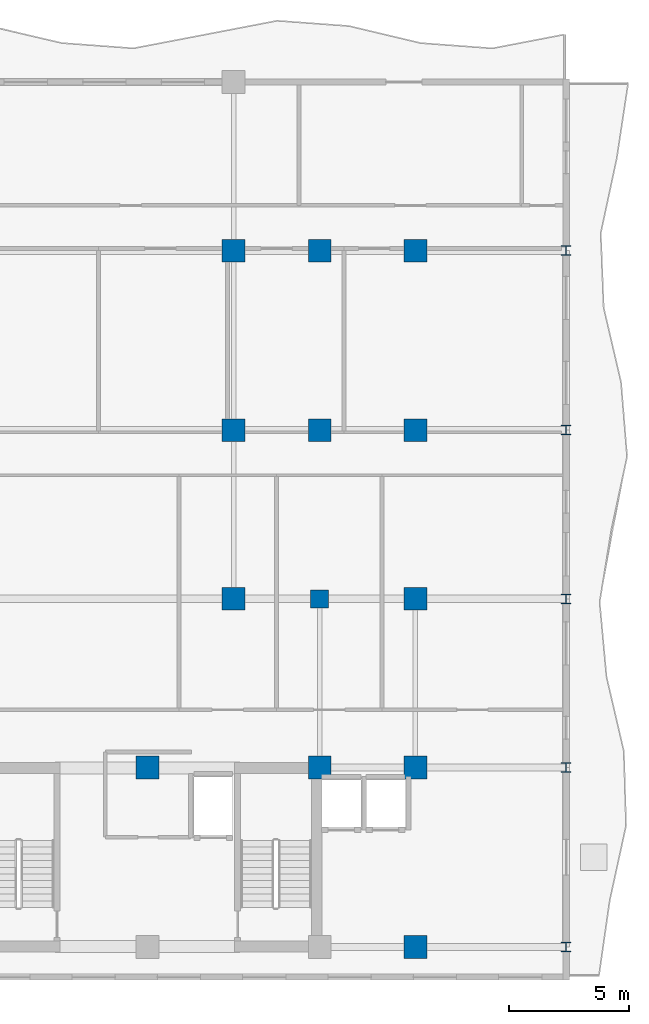
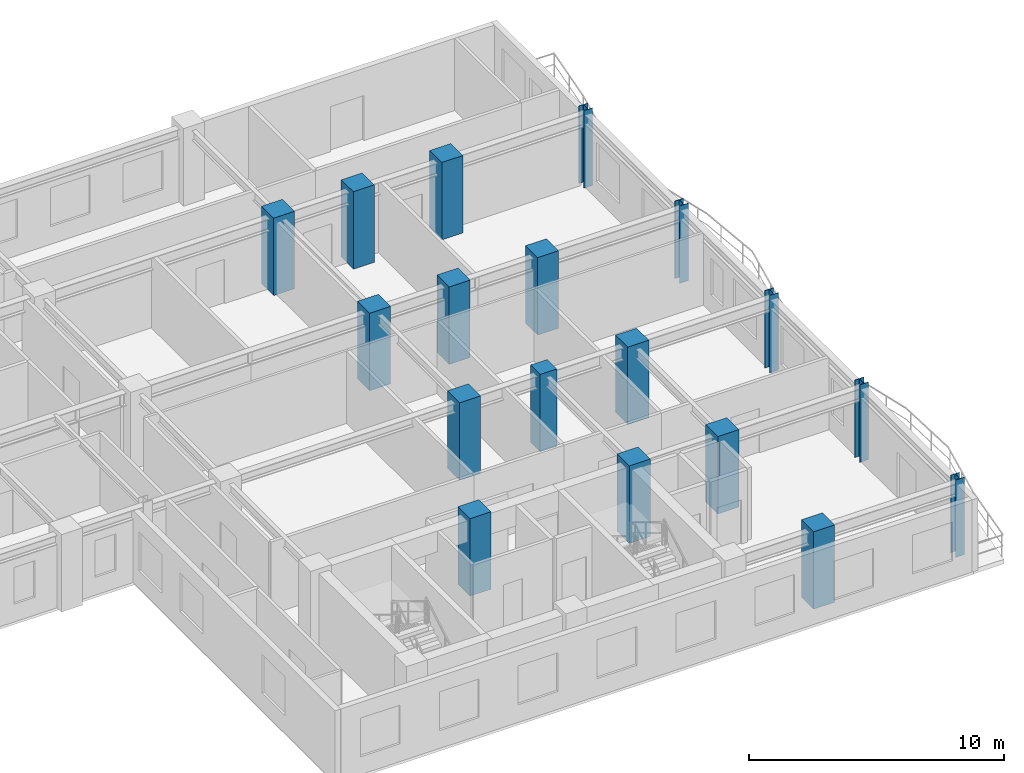
# One storey, part 2 of 20: 18 columns.
"""IFC4 building model written with IfcOpenShell, lengths in metres."""

from ifc_helpers import new_model, si_unit, direction, frame, origin, origin_2d, place, context, subcontext, project, spatial, rectangle, i_section, extrude, source, transform, mapped, material, material_profile, profile_set, type_object, element, save


model = new_model("IFC4")

# Units and contexts
model_context = context("Model", 3, precision=1e-05, world=origin(), true_north=direction((0.0, 1.0)))
body_context = subcontext(model_context, "Body", "Model", "MODEL_VIEW")
ifc_project = project(units=[si_unit("LENGTHUNIT", "METRE"), si_unit("AREAUNIT", "SQUARE_METRE"), si_unit("VOLUMEUNIT", "CUBIC_METRE"), si_unit("PLANEANGLEUNIT", "RADIAN"), si_unit("MASSUNIT", "GRAM", prefix="KILO")], contexts=[model_context])

# Site, building, storey
site_placement = place(None, origin())
site = spatial("IfcSite", under=ifc_project, at=site_placement, CompositionType="ELEMENT")
building_placement = place(site_placement, origin())
building = spatial("IfcBuilding", under=site, at=building_placement, Name="Kaliganga Portal Commons", CompositionType="ELEMENT")
storey_placement = place(building_placement, frame((0.0, 0.0, 201.800048828125)))
storey = spatial("IfcBuildingStorey", under=building, at=storey_placement, Name="L51", CompositionType="ELEMENT", Elevation=201.800048828125)

# Columns
ifc_material_1 = material(Name="Concrete C60/75", Category="concrete")
ifc_material_profile_1 = material_profile(ifc_material_1, rectangle(XDim=0.75, YDim=0.75, at=origin_2d()), Name="RC 750x750")
ifc_profile_set_1 = profile_set([ifc_material_profile_1], Name="Concrete C60/75")
column_type_1 = type_object("IfcColumnType", Name="COL-PILASTER-RC", PredefinedType="PILASTER", material=ifc_profile_set_1)
shared_shape_1 = source(origin(), body_context, "Body", "SweptSolid", [
    extrude(rectangle(XDim=0.75, YDim=0.75, at=origin_2d()), origin(), (0.0, 0.0, 1.0), 3.699951171875),
])
column_placement = place(storey_placement, frame((50.39990234375, 21.60009765625, 0.0), z_axis=(0.0, 0.0, 1.0), x_axis=(1.0, 0.0, 0.0)))
element("IfcColumn", 1, at=column_placement, inside=storey, type_object=column_type_1, Name="Column CP-01 L51", PredefinedType="PILASTER", context=body_context, shape_type="MappedRepresentation", body=[
    mapped(shared_shape_1, transform((0.0, 0.0, 0.0), x_axis=(1.0, 0.0, 0.0), y_axis=(0.0, 1.0, 0.0), z_axis=(0.0, 0.0, 1.0), scale=1.0)),
])
ifc_material_2 = material(Name="Concrete C50/60", Category="concrete")
ifc_material_profile_2 = material_profile(ifc_material_2, rectangle(XDim=0.949951171875, YDim=0.949951171875, at=origin_2d()), Name="RC 950x950")
ifc_profile_set_2 = profile_set([ifc_material_profile_2], Name="Concrete C50/60")
column_type_2 = type_object("IfcColumnType", Name="COL-MEGA-Z4", PredefinedType="COLUMN", material=ifc_profile_set_2)
shared_shape_2 = source(origin(), body_context, "Body", "SweptSolid", [
    extrude(rectangle(XDim=0.949951171875, YDim=0.949951171875, at=origin_2d()), origin(), (0.0, 0.0, 1.0), 3.699951171875),
])
for number, where, z_axis, x_axis, name in (
    (2, (46.800048828125, 21.60009765625, 0.0), (0.0, 0.0, 1.0), (1.0, 0.0, 0.0), "Column MC-05 L51"),
    (3, (46.800048828125, 28.64990234375, 0.0), (0.0, 0.0, 1.0), (1.0, 0.0, 0.0), "Column MC-05 L51"),
    (4, (46.800048828125, 36.14990234375, 0.0), (0.0, 0.0, 1.0), (1.0, 0.0, 0.0), "Column MC-05 L51"),
    (5, (43.199951171875, 14.550048828125, 0.0), (0.0, 0.0, 1.0), (1.0, 0.0, 0.0), "Column MC-05 L51"),
    (6, (50.39990234375, 14.550048828125, 0.0), (0.0, 0.0, 1.0), (1.0, 0.0, 0.0), "Column MC-05 L51"),
    (7, (50.39990234375, 28.64990234375, 0.0), (0.0, 0.0, 1.0), (1.0, 0.0, 0.0), "Column MC-05 L51"),
    (8, (50.39990234375, 36.14990234375, 0.0), (0.0, 0.0, 1.0), (1.0, 0.0, 0.0), "Column MC-05 L51"),
    (9, (54.39990234375, 7.050048828125, 0.0), (0.0, 0.0, 1.0), (1.0, 0.0, 0.0), "Column MC-05 L51"),
    (10, (54.39990234375, 14.550048828125, 0.0), (0.0, 0.0, 1.0), (1.0, 0.0, 0.0), "Column MC-05 L51"),
    (11, (54.39990234375, 21.60009765625, 0.0), (0.0, 0.0, 1.0), (1.0, 0.0, 0.0), "Column MC-05 L51"),
    (12, (54.39990234375, 28.64990234375, 0.0), (0.0, 0.0, 1.0), (1.0, 0.0, 0.0), "Column MC-05 L51"),
    (13, (54.39990234375, 36.14990234375, 0.0), (0.0, 0.0, 1.0), (1.0, 0.0, 0.0), "Column MC-05 L51"),
):
    element("IfcColumn", number, at=place(storey_placement, frame(where, z_axis=z_axis, x_axis=x_axis)), inside=storey, type_object=column_type_2, Name=name, PredefinedType="COLUMN", context=body_context, shape_type="MappedRepresentation", body=[
        mapped(shared_shape_2, transform((0.0, 0.0, 0.0), x_axis=(1.0, 0.0, 0.0), y_axis=(0.0, 1.0, 0.0), z_axis=(0.0, 0.0, 1.0), scale=1.0)),
    ])
ifc_material_3 = material(Name="Structural steel S355J2", Category="steel")
ifc_material_profile_3 = material_profile(ifc_material_3, i_section(OverallWidth=0.39892578125, OverallDepth=0.39990234375, WebThickness=0.017333984375, FlangeThickness=0.0234375, FilletRadius=0.014892578125, at=origin_2d()), Name="HD 400x287")
ifc_profile_set_3 = profile_set([ifc_material_profile_3], Name="Structural steel S355J2 wide-flange")
column_type_3 = type_object("IfcColumnType", Name="COL-TUBE-B4", PredefinedType="COLUMN", material=ifc_profile_set_3)
shared_shape_3 = source(origin(), body_context, "Body", "SweptSolid", [
    extrude(i_section(OverallWidth=0.39892578125, OverallDepth=0.39990234375, WebThickness=0.017333984375, FlangeThickness=0.0234375, FilletRadius=0.014892578125, at=origin_2d()), origin(), (0.0, 0.0, 1.0), 3.699951171875),
])
for number, where, z_axis, x_axis, name in (
    (14, (60.699951171875, 7.050048828125, 0.0), (0.0, 0.0, 1.0), (1.0, 0.0, 0.0), "Column TC-04 L51"),
    (15, (60.699951171875, 14.550048828125, 0.0), (0.0, 0.0, 1.0), (1.0, 0.0, 0.0), "Column TC-04 L51"),
    (16, (60.699951171875, 21.60009765625, 0.0), (0.0, 0.0, 1.0), (1.0, 0.0, 0.0), "Column TC-04 L51"),
    (17, (60.699951171875, 28.64990234375, 0.0), (0.0, 0.0, 1.0), (1.0, 0.0, 0.0), "Column TC-04 L51"),
    (18, (60.699951171875, 36.14990234375, 0.0), (0.0, 0.0, 1.0), (1.0, 0.0, 0.0), "Column TC-04 L51"),
):
    element("IfcColumn", number, at=place(storey_placement, frame(where, z_axis=z_axis, x_axis=x_axis)), inside=storey, type_object=column_type_3, Name=name, PredefinedType="COLUMN", context=body_context, shape_type="MappedRepresentation", body=[
        mapped(shared_shape_3, transform((0.0, 0.0, 0.0), x_axis=(1.0, 0.0, 0.0), y_axis=(0.0, 1.0, 0.0), z_axis=(0.0, 0.0, 1.0), scale=1.0)),
    ])

save(model, "model.ifc")
